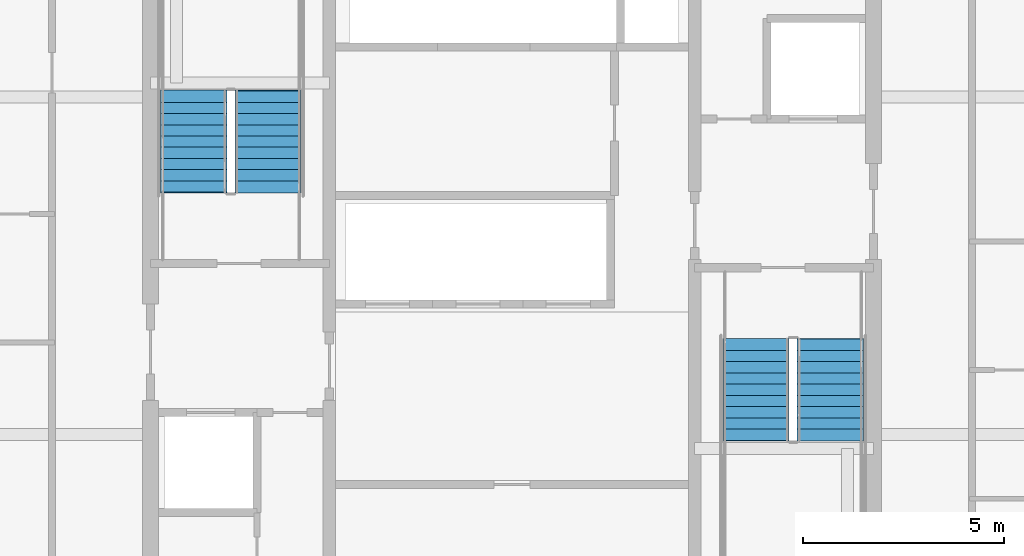
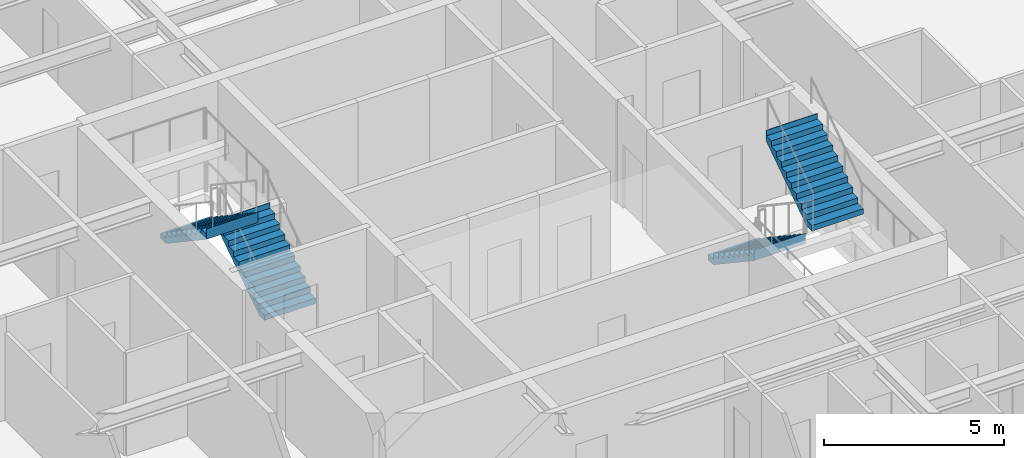
# One storey, part 31 of 36: 4 stair flights, 2 elements without a shape of their own.
"""IFC4 building model written with IfcOpenShell, lengths in metres."""

import ifcopenshell
import ifcopenshell.guid

model = None  # the IFC model being written
_history = None  # IfcOwnerHistory: only IFC2X3 demands one
_inside = {}  # id of a spatial element -> (the spatial element, [elements in it])
_under = {}  # id of a project, library or spatial element -> (it, [spatial elements below it])
_declared = {}  # id of a project -> (the project, [libraries it declares])
_typed = {}  # id of a type object -> (the type object, [elements of that type])
_made_of = {}  # id of a material, layer set ... -> (it, [elements and type objects made of it])


def new_model(schema):
    """Start an empty IFC model of exactly this schema.

    Asked for "IFC4X3", IfcOpenShell would pick the latest addendum, in which some entities
    have other attributes; the version numbers below select the first issue.
    IFC2X3 requires an IfcOwnerHistory on every rooted entity: one is made here for all.
    """
    global model, _history
    if schema == "IFC4X3":
        model = ifcopenshell.file(schema_version=(4, 3, 0, 0))
    else:
        model = ifcopenshell.file(schema=schema)
    _inside.clear()
    _under.clear()
    _declared.clear()
    _typed.clear()
    _made_of.clear()
    _history = None
    if model.schema == "IFC2X3":
        org = make("IfcOrganization", Name="unknown")
        user = make(
            "IfcPersonAndOrganization",
            ThePerson=make("IfcPerson", FamilyName="unknown"),
            TheOrganization=org,
        )
        app = make(
            "IfcApplication",
            ApplicationDeveloper=org,
            Version="unknown",
            ApplicationFullName="unknown",
            ApplicationIdentifier="unknown",
        )
        _history = make(
            "IfcOwnerHistory",
            OwningUser=user,
            OwningApplication=app,
            ChangeAction="ADDED",
            CreationDate=0,
        )
    return model


def make(cls, **values):
    """One entity of the class cls with the attributes given. An attribute that is None is left unset."""
    return model.create_entity(
        cls, **{name: value for name, value in values.items() if value is not None}
    )


def rooted(cls, **values):
    """An entity with a GlobalId (a new one), such as an element, a storey or a relation."""
    return make(cls, GlobalId=ifcopenshell.guid.new(), OwnerHistory=_history, **values)


def si_unit(unit_type, name, prefix=None):
    """IfcSIUnit, for example si_unit("LENGTHUNIT", "METRE", prefix="MILLI")."""
    return make("IfcSIUnit", UnitType=unit_type, Prefix=prefix, Name=name)


def assignment(units):
    """IfcUnitAssignment: the units of a project."""
    return None if units is None else make("IfcUnitAssignment", Units=units)


def point(xyz):
    """IfcCartesianPoint."""
    return None if xyz is None else make("IfcCartesianPoint", Coordinates=xyz)


def direction(xyz):
    """IfcDirection."""
    return None if xyz is None else make("IfcDirection", DirectionRatios=xyz)


def frame(location, z_axis=None, x_axis=None):
    """IfcAxis2Placement3D, a coordinate frame: its origin and axes. An axis left out is left unset."""
    return make(
        "IfcAxis2Placement3D",
        Location=point(location),
        Axis=direction(z_axis),
        RefDirection=direction(x_axis),
    )


def origin():
    """The frame at (0, 0, 0) with its axes left unset."""
    return frame((0.0, 0.0, 0.0))


def place(relative_to, where):
    """IfcLocalPlacement: puts the frame where relative to a parent placement (None: the world)."""
    return make(
        "IfcLocalPlacement", PlacementRelTo=relative_to, RelativePlacement=where
    )


def context(
    kind, dimensions, precision=None, world=None, true_north=None, identifier=None
):
    """IfcGeometricRepresentationContext, for example the 3D "Model" context."""
    return make(
        "IfcGeometricRepresentationContext",
        ContextIdentifier=identifier,
        ContextType=kind,
        CoordinateSpaceDimension=dimensions,
        Precision=precision,
        WorldCoordinateSystem=world,
        TrueNorth=true_north,
    )


def subcontext(parent, identifier, kind, view, scale=None):
    """IfcGeometricRepresentationSubContext, for example "Body" below "Model"."""
    return make(
        "IfcGeometricRepresentationSubContext",
        ContextIdentifier=identifier,
        ContextType=kind,
        ParentContext=parent,
        TargetScale=scale,
        TargetView=view,
    )


def project(units=None, contexts=None):
    """IfcProject with its units and contexts."""
    return rooted(
        "IfcProject",
        Name="project",
        RepresentationContexts=contexts,
        UnitsInContext=assignment(units),
    )


def spatial(cls, under=None, at=None, **own):
    """A site, building, storey or space (cls), placed at a placement, below another one or the project."""
    s = rooted(cls, ObjectPlacement=at, **own)
    if under is not None:
        _under.setdefault(under.id(), (under, []))[1].append(s)
    return s


def point_list(points):
    """IfcCartesianPointList2D or 3D."""
    cls = (
        "IfcCartesianPointList2D" if len(points[0]) == 2 else "IfcCartesianPointList3D"
    )
    return make(cls, CoordList=points)


def polygons(points, faces, closed=None, point_numbers=None):
    """IfcPolygonalFaceSet: a face is its outer loop, then its inner loops; points numbered from 1."""
    made = []
    for loops in faces:
        if len(loops) == 1:
            made.append(make("IfcIndexedPolygonalFace", CoordIndex=loops[0]))
        else:
            made.append(
                make(
                    "IfcIndexedPolygonalFaceWithVoids",
                    CoordIndex=loops[0],
                    InnerCoordIndices=loops[1:],
                )
            )
    return make(
        "IfcPolygonalFaceSet",
        Coordinates=point_list(points),
        Closed=closed,
        Faces=made,
        PnIndex=point_numbers,
    )


def shape(context_of_items, identifier, shape_type, items):
    """IfcShapeRepresentation: the items that make up one representation, for example the "Body"."""
    return make(
        "IfcShapeRepresentation",
        ContextOfItems=context_of_items,
        RepresentationIdentifier=identifier,
        RepresentationType=shape_type,
        Items=items,
    )


def material(Name=None, Category=None):
    """IfcMaterial."""
    return make("IfcMaterial", Name=Name, Category=Category)


def made_of(thing, what):
    """Note that an element or type object is made of a material, layer set ...; save() writes the relation."""
    if what is not None:
        _made_of.setdefault(what.id(), (what, []))[1].append(thing)
    return thing


def type_object(cls, material=None, **own):
    """A type object (cls), such as IfcWallType, which elements share."""
    return made_of(rooted(cls, **own), material)


def element(
    cls,
    number,
    at=None,
    inside=None,
    cuts=None,
    type_object=None,
    material=None,
    context=None,
    identifier="Body",
    shape_type=None,
    held_by="IfcProductDefinitionShape",
    body=None,
    shapes=None,
    **own,
):
    """One element of the class cls, such as IfcWall. Its Tag is "e" and its number.

    at: its placement. inside: the storey or other place that contains it. cuts: it is an
    opening in that element (IfcRelVoidsElement). A single representation is given by context,
    identifier, shape_type and body (its items); several are given by shapes. held_by: the class
    of the entity that holds the representations. save() writes the other relations.
    """
    e = rooted(cls, Tag="e%d" % number, ObjectPlacement=at, **own)
    if body is not None:
        shapes = [shape(context, identifier, shape_type, body)]
    if shapes is not None:
        e.Representation = make(held_by, Representations=shapes)
    if inside is not None:
        _inside.setdefault(inside.id(), (inside, []))[1].append(e)
    if cuts is not None:
        rooted(
            "IfcRelVoidsElement", RelatingBuildingElement=cuts, RelatedOpeningElement=e
        )
    if type_object is not None:
        _typed.setdefault(type_object.id(), (type_object, []))[1].append(e)
    return made_of(e, material)


def aggregate(whole, parts):
    """IfcRelAggregates: a whole, such as a stair, and the parts it consists of."""
    return rooted("IfcRelAggregates", RelatingObject=whole, RelatedObjects=parts)


def save(model, path):
    """Write the relations noted so far, then the file.

    IfcRelAggregates (storeys below a building ...), IfcRelContainedInSpatialStructure (elements
    in a storey), IfcRelDefinesByType, IfcRelAssociatesMaterial and IfcRelDeclares: one each for
    every whole, place, type object, material and project.
    """
    for whole, parts in _under.values():
        aggregate(whole, parts)
    for where, things in _inside.values():
        rooted(
            "IfcRelContainedInSpatialStructure",
            RelatedElements=things,
            RelatingStructure=where,
        )
    for kind, things in _typed.values():
        rooted("IfcRelDefinesByType", RelatedObjects=things, RelatingType=kind)
    for what, things in _made_of.values():
        rooted("IfcRelAssociatesMaterial", RelatedObjects=things, RelatingMaterial=what)
    for by, libraries in _declared.values():
        rooted("IfcRelDeclares", RelatingContext=by, RelatedDefinitions=libraries)
    model.write(path)


model = new_model("IFC4")

# Units and contexts
model_context = context("Model", 3, precision=1e-05, world=origin(), true_north=direction((0.0, 1.0)))
body_context = subcontext(model_context, "Body", "Model", "MODEL_VIEW")
ifc_project = project(units=[si_unit("LENGTHUNIT", "METRE"), si_unit("AREAUNIT", "SQUARE_METRE"), si_unit("VOLUMEUNIT", "CUBIC_METRE"), si_unit("PLANEANGLEUNIT", "RADIAN"), si_unit("MASSUNIT", "GRAM", prefix="KILO")], contexts=[model_context])

# Site, building, storey
site_placement = place(None, origin())
site = spatial("IfcSite", under=ifc_project, at=site_placement, CompositionType="ELEMENT")
building_placement = place(site_placement, origin())
building = spatial("IfcBuilding", under=site, at=building_placement, Name="Serunith Strait Residences", CompositionType="ELEMENT")
storey_placement = place(building_placement, frame((0.0, 0.0, 146.39990234375)))
storey = spatial("IfcBuildingStorey", under=building, at=storey_placement, Name="L36", CompositionType="ELEMENT", Elevation=146.39990234375)

# Stair, stair flights
ifc_material = material(Name="Concrete C50/60", Category="concrete")
stair_type_1 = type_object("IfcStairType", Name="STR-CORE-1", PredefinedType="HALF_TURN_STAIR", material=ifc_material)
stair_1_placement = place(storey_placement, origin())
stair_1 = element("IfcStair", 1, at=stair_1_placement, inside=storey, type_object=stair_type_1, Name="L36 Protected Escape Stair ST-1", PredefinedType="HALF_TURN_STAIR")
stair_flight_type_1 = type_object("IfcStairFlightType", Name="FLT-CORE-1", PredefinedType="STRAIGHT", material=ifc_material)
stair_flight_1_placement = place(storey_placement, frame((26.324951171875, 27.030029296875, 0.0), z_axis=(0.0, 0.0, 1.0), x_axis=(0.0, 1.0, 0.0)))
stair_flight_1 = element("IfcStairFlight", 2, at=stair_flight_1_placement, type_object=stair_flight_type_1, Name="ST-1 flight 1", NumberOfRisers=10, NumberOfTreads=9, PredefinedType="STRAIGHT", RiserHeight=0.1875, TreadLength=0.28, context=body_context, shape_type="Tessellation", body=[
    polygons([(-0.02001953125, -0.824951171875, 0.0), (-0.02001953125, -0.824951171875, 0.1875), (0.280029296875, -0.824951171875, 0.1875), (0.280029296875, -0.824951171875, 0.375), (0.56005859375, -0.824951171875, 0.375), (0.56005859375, -0.824951171875, 0.5625), (0.840087890625, -0.824951171875, 0.5625), (0.840087890625, -0.824951171875, 0.75), (1.1201171875, -0.824951171875, 0.75), (1.1201171875, -0.824951171875, 0.9375), (1.39990234375, -0.824951171875, 0.9375), (1.39990234375, -0.824951171875, 1.125), (1.679931640625, -0.824951171875, 1.125), (1.679931640625, -0.824951171875, 1.3125), (1.9599609375, -0.824951171875, 1.3125), (1.9599609375, -0.824951171875, 1.5), (2.239990234375, -0.824951171875, 1.5), (2.239990234375, -0.824951171875, 1.6875), (2.52001953125, -0.824951171875, 1.6875), (2.52001953125, -0.824951171875, 1.875), (2.5400390625, -0.824951171875, 1.875), (2.5400390625, -0.824951171875, 1.81494140625), (2.52001953125, -0.824951171875, 1.507080078125), (0.26953125, -0.824951171875, 0.0), (-0.02001953125, -0.41259765625, 0.0), (-0.02001953125, -0.41259765625, 0.1875), (0.280029296875, -0.41259765625, 0.1875), (0.280029296875, -0.41259765625, 0.375), (0.56005859375, -0.41259765625, 0.375), (0.56005859375, -0.41259765625, 0.5625), (0.840087890625, -0.41259765625, 0.5625), (0.840087890625, -0.41259765625, 0.75), (1.1201171875, -0.41259765625, 0.75), (1.1201171875, -0.41259765625, 0.9375), (1.39990234375, -0.41259765625, 0.9375), (1.39990234375, -0.41259765625, 1.125), (1.679931640625, -0.41259765625, 1.125), (1.679931640625, -0.41259765625, 1.3125), (1.9599609375, -0.41259765625, 1.3125), (1.9599609375, -0.41259765625, 1.5), (2.239990234375, -0.41259765625, 1.5), (2.239990234375, -0.41259765625, 1.6875), (2.52001953125, -0.41259765625, 1.6875), (2.52001953125, -0.41259765625, 1.875), (2.5400390625, -0.41259765625, 1.875), (2.5400390625, -0.41259765625, 1.81494140625), (2.52001953125, -0.41259765625, 1.507080078125), (0.26953125, -0.41259765625, 0.0), (-0.02001953125, 0.0, 0.0), (-0.02001953125, 0.0, 0.1875), (0.280029296875, 0.0, 0.1875), (0.280029296875, 0.0, 0.375), (0.56005859375, 0.0, 0.375), (0.56005859375, 0.0, 0.5625), (0.840087890625, 0.0, 0.5625), (0.840087890625, 0.0, 0.75), (1.1201171875, 0.0, 0.75), (1.1201171875, 0.0, 0.9375), (1.39990234375, 0.0, 0.9375), (1.39990234375, 0.0, 1.125), (1.679931640625, 0.0, 1.125), (1.679931640625, 0.0, 1.3125), (1.9599609375, 0.0, 1.3125), (1.9599609375, 0.0, 1.5), (2.239990234375, 0.0, 1.5), (2.239990234375, 0.0, 1.6875), (2.52001953125, 0.0, 1.6875), (2.52001953125, 0.0, 1.875), (2.5400390625, 0.0, 1.875), (2.5400390625, 0.0, 1.81494140625), (2.52001953125, 0.0, 1.507080078125), (0.26953125, 0.0, 0.0), (-0.02001953125, 0.41259765625, 0.0), (-0.02001953125, 0.41259765625, 0.1875), (0.280029296875, 0.41259765625, 0.1875), (0.280029296875, 0.41259765625, 0.375), (0.56005859375, 0.41259765625, 0.375), (0.56005859375, 0.41259765625, 0.5625), (0.840087890625, 0.41259765625, 0.5625), (0.840087890625, 0.41259765625, 0.75), (1.1201171875, 0.41259765625, 0.75), (1.1201171875, 0.41259765625, 0.9375), (1.39990234375, 0.41259765625, 0.9375), (1.39990234375, 0.41259765625, 1.125), (1.679931640625, 0.41259765625, 1.125), (1.679931640625, 0.41259765625, 1.3125), (1.9599609375, 0.41259765625, 1.3125), (1.9599609375, 0.41259765625, 1.5), (2.239990234375, 0.41259765625, 1.5), (2.239990234375, 0.41259765625, 1.6875), (2.52001953125, 0.41259765625, 1.6875), (2.52001953125, 0.41259765625, 1.875), (2.5400390625, 0.41259765625, 1.875), (2.5400390625, 0.41259765625, 1.81494140625), (2.52001953125, 0.41259765625, 1.507080078125), (0.26953125, 0.41259765625, 0.0), (-0.02001953125, 0.824951171875, 0.0), (-0.02001953125, 0.824951171875, 0.1875), (0.280029296875, 0.824951171875, 0.1875), (0.280029296875, 0.824951171875, 0.375), (0.56005859375, 0.824951171875, 0.375), (0.56005859375, 0.824951171875, 0.5625), (0.840087890625, 0.824951171875, 0.5625), (0.840087890625, 0.824951171875, 0.75), (1.1201171875, 0.824951171875, 0.75), (1.1201171875, 0.824951171875, 0.9375), (1.39990234375, 0.824951171875, 0.9375), (1.39990234375, 0.824951171875, 1.125), (1.679931640625, 0.824951171875, 1.125), (1.679931640625, 0.824951171875, 1.3125), (1.9599609375, 0.824951171875, 1.3125), (1.9599609375, 0.824951171875, 1.5), (2.239990234375, 0.824951171875, 1.5), (2.239990234375, 0.824951171875, 1.6875), (2.52001953125, 0.824951171875, 1.6875), (2.52001953125, 0.824951171875, 1.875), (2.5400390625, 0.824951171875, 1.875), (2.5400390625, 0.824951171875, 1.81494140625), (2.52001953125, 0.824951171875, 1.507080078125), (0.26953125, 0.824951171875, 0.0)], [[[1, 2, 26, 25]], [[2, 3, 27, 26]], [[3, 4, 28, 27]], [[4, 5, 29, 28]], [[5, 6, 30, 29]], [[6, 7, 31, 30]], [[7, 8, 32, 31]], [[8, 9, 33, 32]], [[9, 10, 34, 33]], [[10, 11, 35, 34]], [[11, 12, 36, 35]], [[12, 13, 37, 36]], [[13, 14, 38, 37]], [[14, 15, 39, 38]], [[15, 16, 40, 39]], [[16, 17, 41, 40]], [[17, 18, 42, 41]], [[18, 19, 43, 42]], [[19, 20, 44, 43]], [[20, 21, 45, 44]], [[21, 22, 46, 45]], [[22, 23, 47, 46]], [[23, 24, 48, 47]], [[24, 1, 25, 48]], [[25, 26, 50, 49]], [[26, 27, 51, 50]], [[27, 28, 52, 51]], [[28, 29, 53, 52]], [[29, 30, 54, 53]], [[30, 31, 55, 54]], [[31, 32, 56, 55]], [[32, 33, 57, 56]], [[33, 34, 58, 57]], [[34, 35, 59, 58]], [[35, 36, 60, 59]], [[36, 37, 61, 60]], [[37, 38, 62, 61]], [[38, 39, 63, 62]], [[39, 40, 64, 63]], [[40, 41, 65, 64]], [[41, 42, 66, 65]], [[42, 43, 67, 66]], [[43, 44, 68, 67]], [[44, 45, 69, 68]], [[45, 46, 70, 69]], [[46, 47, 71, 70]], [[47, 48, 72, 71]], [[48, 25, 49, 72]], [[49, 50, 74, 73]], [[50, 51, 75, 74]], [[51, 52, 76, 75]], [[52, 53, 77, 76]], [[53, 54, 78, 77]], [[54, 55, 79, 78]], [[55, 56, 80, 79]], [[56, 57, 81, 80]], [[57, 58, 82, 81]], [[58, 59, 83, 82]], [[59, 60, 84, 83]], [[60, 61, 85, 84]], [[61, 62, 86, 85]], [[62, 63, 87, 86]], [[63, 64, 88, 87]], [[64, 65, 89, 88]], [[65, 66, 90, 89]], [[66, 67, 91, 90]], [[67, 68, 92, 91]], [[68, 69, 93, 92]], [[69, 70, 94, 93]], [[70, 71, 95, 94]], [[71, 72, 96, 95]], [[72, 49, 73, 96]], [[73, 74, 98, 97]], [[74, 75, 99, 98]], [[75, 76, 100, 99]], [[76, 77, 101, 100]], [[77, 78, 102, 101]], [[78, 79, 103, 102]], [[79, 80, 104, 103]], [[80, 81, 105, 104]], [[81, 82, 106, 105]], [[82, 83, 107, 106]], [[83, 84, 108, 107]], [[84, 85, 109, 108]], [[85, 86, 110, 109]], [[86, 87, 111, 110]], [[87, 88, 112, 111]], [[88, 89, 113, 112]], [[89, 90, 114, 113]], [[90, 91, 115, 114]], [[91, 92, 116, 115]], [[92, 93, 117, 116]], [[93, 94, 118, 117]], [[94, 95, 119, 118]], [[95, 96, 120, 119]], [[96, 73, 97, 120]], [[24, 23, 22, 21, 20, 19, 18, 17, 16, 15, 14, 13, 12, 11, 10, 9, 8, 7, 6, 5, 4, 3, 2, 1]], [[97, 98, 99, 100, 101, 102, 103, 104, 105, 106, 107, 108, 109, 110, 111, 112, 113, 114, 115, 116, 117, 118, 119, 120]]], closed=True),
])
stair_flight_2_placement = place(storey_placement, frame((24.47509765625, 29.550048828125, 1.875), z_axis=(0.0, 0.0, 1.0), x_axis=(0.0, -1.0, 0.0)))
stair_flight_2 = element("IfcStairFlight", 3, at=stair_flight_2_placement, type_object=stair_flight_type_1, Name="ST-1 flight 2", NumberOfRisers=10, NumberOfTreads=9, PredefinedType="STRAIGHT", RiserHeight=0.1875, TreadLength=0.28, context=body_context, shape_type="Tessellation", body=[
    polygons([(-0.02001953125, -0.824951171875, 0.0), (-0.02001953125, -0.824951171875, 0.1875), (0.280029296875, -0.824951171875, 0.1875), (0.280029296875, -0.824951171875, 0.375), (0.56005859375, -0.824951171875, 0.375), (0.56005859375, -0.824951171875, 0.5625), (0.840087890625, -0.824951171875, 0.5625), (0.840087890625, -0.824951171875, 0.75), (1.1201171875, -0.824951171875, 0.75), (1.1201171875, -0.824951171875, 0.9375), (1.39990234375, -0.824951171875, 0.9375), (1.39990234375, -0.824951171875, 1.125), (1.679931640625, -0.824951171875, 1.125), (1.679931640625, -0.824951171875, 1.3125), (1.9599609375, -0.824951171875, 1.3125), (1.9599609375, -0.824951171875, 1.5), (2.239990234375, -0.824951171875, 1.5), (2.239990234375, -0.824951171875, 1.6875), (2.52001953125, -0.824951171875, 1.6875), (2.52001953125, -0.824951171875, 1.875), (2.5400390625, -0.824951171875, 1.875), (2.5400390625, -0.824951171875, 1.81494140625), (2.52001953125, -0.824951171875, 1.507080078125), (0.26953125, -0.824951171875, 0.0), (-0.02001953125, -0.41259765625, 0.0), (-0.02001953125, -0.41259765625, 0.1875), (0.280029296875, -0.41259765625, 0.1875), (0.280029296875, -0.41259765625, 0.375), (0.56005859375, -0.41259765625, 0.375), (0.56005859375, -0.41259765625, 0.5625), (0.840087890625, -0.41259765625, 0.5625), (0.840087890625, -0.41259765625, 0.75), (1.1201171875, -0.41259765625, 0.75), (1.1201171875, -0.41259765625, 0.9375), (1.39990234375, -0.41259765625, 0.9375), (1.39990234375, -0.41259765625, 1.125), (1.679931640625, -0.41259765625, 1.125), (1.679931640625, -0.41259765625, 1.3125), (1.9599609375, -0.41259765625, 1.3125), (1.9599609375, -0.41259765625, 1.5), (2.239990234375, -0.41259765625, 1.5), (2.239990234375, -0.41259765625, 1.6875), (2.52001953125, -0.41259765625, 1.6875), (2.52001953125, -0.41259765625, 1.875), (2.5400390625, -0.41259765625, 1.875), (2.5400390625, -0.41259765625, 1.81494140625), (2.52001953125, -0.41259765625, 1.507080078125), (0.26953125, -0.41259765625, 0.0), (-0.02001953125, 0.0, 0.0), (-0.02001953125, 0.0, 0.1875), (0.280029296875, 0.0, 0.1875), (0.280029296875, 0.0, 0.375), (0.56005859375, 0.0, 0.375), (0.56005859375, 0.0, 0.5625), (0.840087890625, 0.0, 0.5625), (0.840087890625, 0.0, 0.75), (1.1201171875, 0.0, 0.75), (1.1201171875, 0.0, 0.9375), (1.39990234375, 0.0, 0.9375), (1.39990234375, 0.0, 1.125), (1.679931640625, 0.0, 1.125), (1.679931640625, 0.0, 1.3125), (1.9599609375, 0.0, 1.3125), (1.9599609375, 0.0, 1.5), (2.239990234375, 0.0, 1.5), (2.239990234375, 0.0, 1.6875), (2.52001953125, 0.0, 1.6875), (2.52001953125, 0.0, 1.875), (2.5400390625, 0.0, 1.875), (2.5400390625, 0.0, 1.81494140625), (2.52001953125, 0.0, 1.507080078125), (0.26953125, 0.0, 0.0), (-0.02001953125, 0.41259765625, 0.0), (-0.02001953125, 0.41259765625, 0.1875), (0.280029296875, 0.41259765625, 0.1875), (0.280029296875, 0.41259765625, 0.375), (0.56005859375, 0.41259765625, 0.375), (0.56005859375, 0.41259765625, 0.5625), (0.840087890625, 0.41259765625, 0.5625), (0.840087890625, 0.41259765625, 0.75), (1.1201171875, 0.41259765625, 0.75), (1.1201171875, 0.41259765625, 0.9375), (1.39990234375, 0.41259765625, 0.9375), (1.39990234375, 0.41259765625, 1.125), (1.679931640625, 0.41259765625, 1.125), (1.679931640625, 0.41259765625, 1.3125), (1.9599609375, 0.41259765625, 1.3125), (1.9599609375, 0.41259765625, 1.5), (2.239990234375, 0.41259765625, 1.5), (2.239990234375, 0.41259765625, 1.6875), (2.52001953125, 0.41259765625, 1.6875), (2.52001953125, 0.41259765625, 1.875), (2.5400390625, 0.41259765625, 1.875), (2.5400390625, 0.41259765625, 1.81494140625), (2.52001953125, 0.41259765625, 1.507080078125), (0.26953125, 0.41259765625, 0.0), (-0.02001953125, 0.824951171875, 0.0), (-0.02001953125, 0.824951171875, 0.1875), (0.280029296875, 0.824951171875, 0.1875), (0.280029296875, 0.824951171875, 0.375), (0.56005859375, 0.824951171875, 0.375), (0.56005859375, 0.824951171875, 0.5625), (0.840087890625, 0.824951171875, 0.5625), (0.840087890625, 0.824951171875, 0.75), (1.1201171875, 0.824951171875, 0.75), (1.1201171875, 0.824951171875, 0.9375), (1.39990234375, 0.824951171875, 0.9375), (1.39990234375, 0.824951171875, 1.125), (1.679931640625, 0.824951171875, 1.125), (1.679931640625, 0.824951171875, 1.3125), (1.9599609375, 0.824951171875, 1.3125), (1.9599609375, 0.824951171875, 1.5), (2.239990234375, 0.824951171875, 1.5), (2.239990234375, 0.824951171875, 1.6875), (2.52001953125, 0.824951171875, 1.6875), (2.52001953125, 0.824951171875, 1.875), (2.5400390625, 0.824951171875, 1.875), (2.5400390625, 0.824951171875, 1.81494140625), (2.52001953125, 0.824951171875, 1.507080078125), (0.26953125, 0.824951171875, 0.0)], [[[1, 2, 26, 25]], [[2, 3, 27, 26]], [[3, 4, 28, 27]], [[4, 5, 29, 28]], [[5, 6, 30, 29]], [[6, 7, 31, 30]], [[7, 8, 32, 31]], [[8, 9, 33, 32]], [[9, 10, 34, 33]], [[10, 11, 35, 34]], [[11, 12, 36, 35]], [[12, 13, 37, 36]], [[13, 14, 38, 37]], [[14, 15, 39, 38]], [[15, 16, 40, 39]], [[16, 17, 41, 40]], [[17, 18, 42, 41]], [[18, 19, 43, 42]], [[19, 20, 44, 43]], [[20, 21, 45, 44]], [[21, 22, 46, 45]], [[22, 23, 47, 46]], [[23, 24, 48, 47]], [[24, 1, 25, 48]], [[25, 26, 50, 49]], [[26, 27, 51, 50]], [[27, 28, 52, 51]], [[28, 29, 53, 52]], [[29, 30, 54, 53]], [[30, 31, 55, 54]], [[31, 32, 56, 55]], [[32, 33, 57, 56]], [[33, 34, 58, 57]], [[34, 35, 59, 58]], [[35, 36, 60, 59]], [[36, 37, 61, 60]], [[37, 38, 62, 61]], [[38, 39, 63, 62]], [[39, 40, 64, 63]], [[40, 41, 65, 64]], [[41, 42, 66, 65]], [[42, 43, 67, 66]], [[43, 44, 68, 67]], [[44, 45, 69, 68]], [[45, 46, 70, 69]], [[46, 47, 71, 70]], [[47, 48, 72, 71]], [[48, 25, 49, 72]], [[49, 50, 74, 73]], [[50, 51, 75, 74]], [[51, 52, 76, 75]], [[52, 53, 77, 76]], [[53, 54, 78, 77]], [[54, 55, 79, 78]], [[55, 56, 80, 79]], [[56, 57, 81, 80]], [[57, 58, 82, 81]], [[58, 59, 83, 82]], [[59, 60, 84, 83]], [[60, 61, 85, 84]], [[61, 62, 86, 85]], [[62, 63, 87, 86]], [[63, 64, 88, 87]], [[64, 65, 89, 88]], [[65, 66, 90, 89]], [[66, 67, 91, 90]], [[67, 68, 92, 91]], [[68, 69, 93, 92]], [[69, 70, 94, 93]], [[70, 71, 95, 94]], [[71, 72, 96, 95]], [[72, 49, 73, 96]], [[73, 74, 98, 97]], [[74, 75, 99, 98]], [[75, 76, 100, 99]], [[76, 77, 101, 100]], [[77, 78, 102, 101]], [[78, 79, 103, 102]], [[79, 80, 104, 103]], [[80, 81, 105, 104]], [[81, 82, 106, 105]], [[82, 83, 107, 106]], [[83, 84, 108, 107]], [[84, 85, 109, 108]], [[85, 86, 110, 109]], [[86, 87, 111, 110]], [[87, 88, 112, 111]], [[88, 89, 113, 112]], [[89, 90, 114, 113]], [[90, 91, 115, 114]], [[91, 92, 116, 115]], [[92, 93, 117, 116]], [[93, 94, 118, 117]], [[94, 95, 119, 118]], [[95, 96, 120, 119]], [[96, 73, 97, 120]], [[24, 23, 22, 21, 20, 19, 18, 17, 16, 15, 14, 13, 12, 11, 10, 9, 8, 7, 6, 5, 4, 3, 2, 1]], [[97, 98, 99, 100, 101, 102, 103, 104, 105, 106, 107, 108, 109, 110, 111, 112, 113, 114, 115, 116, 117, 118, 119, 120]]], closed=True),
])
aggregate(stair_1, [stair_flight_1, stair_flight_2])

stair_type_2 = type_object("IfcStairType", Name="STR-CORE-2", PredefinedType="HALF_TURN_STAIR", material=ifc_material)
stair_2_placement = place(storey_placement, origin())
stair_2 = element("IfcStair", 4, at=stair_2_placement, inside=storey, type_object=stair_type_2, Name="L36 Protected Escape Stair ST-2", PredefinedType="HALF_TURN_STAIR")
stair_flight_type_2 = type_object("IfcStairFlightType", Name="FLT-CORE-2", PredefinedType="STRAIGHT", material=ifc_material)
stair_flight_3_placement = place(storey_placement, frame((38.47509765625, 23.3701171875, 0.0), z_axis=(0.0, 0.0, 1.0), x_axis=(0.0, -1.0, 0.0)))
stair_flight_3 = element("IfcStairFlight", 5, at=stair_flight_3_placement, type_object=stair_flight_type_2, Name="ST-2 flight 1", NumberOfRisers=10, NumberOfTreads=9, PredefinedType="STRAIGHT", RiserHeight=0.1875, TreadLength=0.28, context=body_context, shape_type="Tessellation", body=[
    polygons([(-0.02001953125, -0.824951171875, 0.0), (-0.02001953125, -0.824951171875, 0.1875), (0.280029296875, -0.824951171875, 0.1875), (0.280029296875, -0.824951171875, 0.375), (0.56005859375, -0.824951171875, 0.375), (0.56005859375, -0.824951171875, 0.5625), (0.840087890625, -0.824951171875, 0.5625), (0.840087890625, -0.824951171875, 0.75), (1.1201171875, -0.824951171875, 0.75), (1.1201171875, -0.824951171875, 0.9375), (1.39990234375, -0.824951171875, 0.9375), (1.39990234375, -0.824951171875, 1.125), (1.679931640625, -0.824951171875, 1.125), (1.679931640625, -0.824951171875, 1.3125), (1.9599609375, -0.824951171875, 1.3125), (1.9599609375, -0.824951171875, 1.5), (2.239990234375, -0.824951171875, 1.5), (2.239990234375, -0.824951171875, 1.6875), (2.52001953125, -0.824951171875, 1.6875), (2.52001953125, -0.824951171875, 1.875), (2.5400390625, -0.824951171875, 1.875), (2.5400390625, -0.824951171875, 1.81494140625), (2.52001953125, -0.824951171875, 1.507080078125), (0.26953125, -0.824951171875, 0.0), (-0.02001953125, -0.41259765625, 0.0), (-0.02001953125, -0.41259765625, 0.1875), (0.280029296875, -0.41259765625, 0.1875), (0.280029296875, -0.41259765625, 0.375), (0.56005859375, -0.41259765625, 0.375), (0.56005859375, -0.41259765625, 0.5625), (0.840087890625, -0.41259765625, 0.5625), (0.840087890625, -0.41259765625, 0.75), (1.1201171875, -0.41259765625, 0.75), (1.1201171875, -0.41259765625, 0.9375), (1.39990234375, -0.41259765625, 0.9375), (1.39990234375, -0.41259765625, 1.125), (1.679931640625, -0.41259765625, 1.125), (1.679931640625, -0.41259765625, 1.3125), (1.9599609375, -0.41259765625, 1.3125), (1.9599609375, -0.41259765625, 1.5), (2.239990234375, -0.41259765625, 1.5), (2.239990234375, -0.41259765625, 1.6875), (2.52001953125, -0.41259765625, 1.6875), (2.52001953125, -0.41259765625, 1.875), (2.5400390625, -0.41259765625, 1.875), (2.5400390625, -0.41259765625, 1.81494140625), (2.52001953125, -0.41259765625, 1.507080078125), (0.26953125, -0.41259765625, 0.0), (-0.02001953125, 0.0, 0.0), (-0.02001953125, 0.0, 0.1875), (0.280029296875, 0.0, 0.1875), (0.280029296875, 0.0, 0.375), (0.56005859375, 0.0, 0.375), (0.56005859375, 0.0, 0.5625), (0.840087890625, 0.0, 0.5625), (0.840087890625, 0.0, 0.75), (1.1201171875, 0.0, 0.75), (1.1201171875, 0.0, 0.9375), (1.39990234375, 0.0, 0.9375), (1.39990234375, 0.0, 1.125), (1.679931640625, 0.0, 1.125), (1.679931640625, 0.0, 1.3125), (1.9599609375, 0.0, 1.3125), (1.9599609375, 0.0, 1.5), (2.239990234375, 0.0, 1.5), (2.239990234375, 0.0, 1.6875), (2.52001953125, 0.0, 1.6875), (2.52001953125, 0.0, 1.875), (2.5400390625, 0.0, 1.875), (2.5400390625, 0.0, 1.81494140625), (2.52001953125, 0.0, 1.507080078125), (0.26953125, 0.0, 0.0), (-0.02001953125, 0.41259765625, 0.0), (-0.02001953125, 0.41259765625, 0.1875), (0.280029296875, 0.41259765625, 0.1875), (0.280029296875, 0.41259765625, 0.375), (0.56005859375, 0.41259765625, 0.375), (0.56005859375, 0.41259765625, 0.5625), (0.840087890625, 0.41259765625, 0.5625), (0.840087890625, 0.41259765625, 0.75), (1.1201171875, 0.41259765625, 0.75), (1.1201171875, 0.41259765625, 0.9375), (1.39990234375, 0.41259765625, 0.9375), (1.39990234375, 0.41259765625, 1.125), (1.679931640625, 0.41259765625, 1.125), (1.679931640625, 0.41259765625, 1.3125), (1.9599609375, 0.41259765625, 1.3125), (1.9599609375, 0.41259765625, 1.5), (2.239990234375, 0.41259765625, 1.5), (2.239990234375, 0.41259765625, 1.6875), (2.52001953125, 0.41259765625, 1.6875), (2.52001953125, 0.41259765625, 1.875), (2.5400390625, 0.41259765625, 1.875), (2.5400390625, 0.41259765625, 1.81494140625), (2.52001953125, 0.41259765625, 1.507080078125), (0.26953125, 0.41259765625, 0.0), (-0.02001953125, 0.824951171875, 0.0), (-0.02001953125, 0.824951171875, 0.1875), (0.280029296875, 0.824951171875, 0.1875), (0.280029296875, 0.824951171875, 0.375), (0.56005859375, 0.824951171875, 0.375), (0.56005859375, 0.824951171875, 0.5625), (0.840087890625, 0.824951171875, 0.5625), (0.840087890625, 0.824951171875, 0.75), (1.1201171875, 0.824951171875, 0.75), (1.1201171875, 0.824951171875, 0.9375), (1.39990234375, 0.824951171875, 0.9375), (1.39990234375, 0.824951171875, 1.125), (1.679931640625, 0.824951171875, 1.125), (1.679931640625, 0.824951171875, 1.3125), (1.9599609375, 0.824951171875, 1.3125), (1.9599609375, 0.824951171875, 1.5), (2.239990234375, 0.824951171875, 1.5), (2.239990234375, 0.824951171875, 1.6875), (2.52001953125, 0.824951171875, 1.6875), (2.52001953125, 0.824951171875, 1.875), (2.5400390625, 0.824951171875, 1.875), (2.5400390625, 0.824951171875, 1.81494140625), (2.52001953125, 0.824951171875, 1.507080078125), (0.26953125, 0.824951171875, 0.0)], [[[1, 2, 26, 25]], [[2, 3, 27, 26]], [[3, 4, 28, 27]], [[4, 5, 29, 28]], [[5, 6, 30, 29]], [[6, 7, 31, 30]], [[7, 8, 32, 31]], [[8, 9, 33, 32]], [[9, 10, 34, 33]], [[10, 11, 35, 34]], [[11, 12, 36, 35]], [[12, 13, 37, 36]], [[13, 14, 38, 37]], [[14, 15, 39, 38]], [[15, 16, 40, 39]], [[16, 17, 41, 40]], [[17, 18, 42, 41]], [[18, 19, 43, 42]], [[19, 20, 44, 43]], [[20, 21, 45, 44]], [[21, 22, 46, 45]], [[22, 23, 47, 46]], [[23, 24, 48, 47]], [[24, 1, 25, 48]], [[25, 26, 50, 49]], [[26, 27, 51, 50]], [[27, 28, 52, 51]], [[28, 29, 53, 52]], [[29, 30, 54, 53]], [[30, 31, 55, 54]], [[31, 32, 56, 55]], [[32, 33, 57, 56]], [[33, 34, 58, 57]], [[34, 35, 59, 58]], [[35, 36, 60, 59]], [[36, 37, 61, 60]], [[37, 38, 62, 61]], [[38, 39, 63, 62]], [[39, 40, 64, 63]], [[40, 41, 65, 64]], [[41, 42, 66, 65]], [[42, 43, 67, 66]], [[43, 44, 68, 67]], [[44, 45, 69, 68]], [[45, 46, 70, 69]], [[46, 47, 71, 70]], [[47, 48, 72, 71]], [[48, 25, 49, 72]], [[49, 50, 74, 73]], [[50, 51, 75, 74]], [[51, 52, 76, 75]], [[52, 53, 77, 76]], [[53, 54, 78, 77]], [[54, 55, 79, 78]], [[55, 56, 80, 79]], [[56, 57, 81, 80]], [[57, 58, 82, 81]], [[58, 59, 83, 82]], [[59, 60, 84, 83]], [[60, 61, 85, 84]], [[61, 62, 86, 85]], [[62, 63, 87, 86]], [[63, 64, 88, 87]], [[64, 65, 89, 88]], [[65, 66, 90, 89]], [[66, 67, 91, 90]], [[67, 68, 92, 91]], [[68, 69, 93, 92]], [[69, 70, 94, 93]], [[70, 71, 95, 94]], [[71, 72, 96, 95]], [[72, 49, 73, 96]], [[73, 74, 98, 97]], [[74, 75, 99, 98]], [[75, 76, 100, 99]], [[76, 77, 101, 100]], [[77, 78, 102, 101]], [[78, 79, 103, 102]], [[79, 80, 104, 103]], [[80, 81, 105, 104]], [[81, 82, 106, 105]], [[82, 83, 107, 106]], [[83, 84, 108, 107]], [[84, 85, 109, 108]], [[85, 86, 110, 109]], [[86, 87, 111, 110]], [[87, 88, 112, 111]], [[88, 89, 113, 112]], [[89, 90, 114, 113]], [[90, 91, 115, 114]], [[91, 92, 116, 115]], [[92, 93, 117, 116]], [[93, 94, 118, 117]], [[94, 95, 119, 118]], [[95, 96, 120, 119]], [[96, 73, 97, 120]], [[24, 23, 22, 21, 20, 19, 18, 17, 16, 15, 14, 13, 12, 11, 10, 9, 8, 7, 6, 5, 4, 3, 2, 1]], [[97, 98, 99, 100, 101, 102, 103, 104, 105, 106, 107, 108, 109, 110, 111, 112, 113, 114, 115, 116, 117, 118, 119, 120]]], closed=True),
])
stair_flight_4_placement = place(storey_placement, frame((40.324951171875, 20.85009765625, 1.875), z_axis=(0.0, 0.0, 1.0), x_axis=(0.0, 1.0, 0.0)))
stair_flight_4 = element("IfcStairFlight", 6, at=stair_flight_4_placement, type_object=stair_flight_type_2, Name="ST-2 flight 2", NumberOfRisers=10, NumberOfTreads=9, PredefinedType="STRAIGHT", RiserHeight=0.1875, TreadLength=0.28, context=body_context, shape_type="Tessellation", body=[
    polygons([(-0.02001953125, -0.824951171875, 0.0), (-0.02001953125, -0.824951171875, 0.1875), (0.280029296875, -0.824951171875, 0.1875), (0.280029296875, -0.824951171875, 0.375), (0.56005859375, -0.824951171875, 0.375), (0.56005859375, -0.824951171875, 0.5625), (0.840087890625, -0.824951171875, 0.5625), (0.840087890625, -0.824951171875, 0.75), (1.1201171875, -0.824951171875, 0.75), (1.1201171875, -0.824951171875, 0.9375), (1.39990234375, -0.824951171875, 0.9375), (1.39990234375, -0.824951171875, 1.125), (1.679931640625, -0.824951171875, 1.125), (1.679931640625, -0.824951171875, 1.3125), (1.9599609375, -0.824951171875, 1.3125), (1.9599609375, -0.824951171875, 1.5), (2.239990234375, -0.824951171875, 1.5), (2.239990234375, -0.824951171875, 1.6875), (2.52001953125, -0.824951171875, 1.6875), (2.52001953125, -0.824951171875, 1.875), (2.5400390625, -0.824951171875, 1.875), (2.5400390625, -0.824951171875, 1.81494140625), (2.52001953125, -0.824951171875, 1.507080078125), (0.26953125, -0.824951171875, 0.0), (-0.02001953125, -0.41259765625, 0.0), (-0.02001953125, -0.41259765625, 0.1875), (0.280029296875, -0.41259765625, 0.1875), (0.280029296875, -0.41259765625, 0.375), (0.56005859375, -0.41259765625, 0.375), (0.56005859375, -0.41259765625, 0.5625), (0.840087890625, -0.41259765625, 0.5625), (0.840087890625, -0.41259765625, 0.75), (1.1201171875, -0.41259765625, 0.75), (1.1201171875, -0.41259765625, 0.9375), (1.39990234375, -0.41259765625, 0.9375), (1.39990234375, -0.41259765625, 1.125), (1.679931640625, -0.41259765625, 1.125), (1.679931640625, -0.41259765625, 1.3125), (1.9599609375, -0.41259765625, 1.3125), (1.9599609375, -0.41259765625, 1.5), (2.239990234375, -0.41259765625, 1.5), (2.239990234375, -0.41259765625, 1.6875), (2.52001953125, -0.41259765625, 1.6875), (2.52001953125, -0.41259765625, 1.875), (2.5400390625, -0.41259765625, 1.875), (2.5400390625, -0.41259765625, 1.81494140625), (2.52001953125, -0.41259765625, 1.507080078125), (0.26953125, -0.41259765625, 0.0), (-0.02001953125, 0.0, 0.0), (-0.02001953125, 0.0, 0.1875), (0.280029296875, 0.0, 0.1875), (0.280029296875, 0.0, 0.375), (0.56005859375, 0.0, 0.375), (0.56005859375, 0.0, 0.5625), (0.840087890625, 0.0, 0.5625), (0.840087890625, 0.0, 0.75), (1.1201171875, 0.0, 0.75), (1.1201171875, 0.0, 0.9375), (1.39990234375, 0.0, 0.9375), (1.39990234375, 0.0, 1.125), (1.679931640625, 0.0, 1.125), (1.679931640625, 0.0, 1.3125), (1.9599609375, 0.0, 1.3125), (1.9599609375, 0.0, 1.5), (2.239990234375, 0.0, 1.5), (2.239990234375, 0.0, 1.6875), (2.52001953125, 0.0, 1.6875), (2.52001953125, 0.0, 1.875), (2.5400390625, 0.0, 1.875), (2.5400390625, 0.0, 1.81494140625), (2.52001953125, 0.0, 1.507080078125), (0.26953125, 0.0, 0.0), (-0.02001953125, 0.41259765625, 0.0), (-0.02001953125, 0.41259765625, 0.1875), (0.280029296875, 0.41259765625, 0.1875), (0.280029296875, 0.41259765625, 0.375), (0.56005859375, 0.41259765625, 0.375), (0.56005859375, 0.41259765625, 0.5625), (0.840087890625, 0.41259765625, 0.5625), (0.840087890625, 0.41259765625, 0.75), (1.1201171875, 0.41259765625, 0.75), (1.1201171875, 0.41259765625, 0.9375), (1.39990234375, 0.41259765625, 0.9375), (1.39990234375, 0.41259765625, 1.125), (1.679931640625, 0.41259765625, 1.125), (1.679931640625, 0.41259765625, 1.3125), (1.9599609375, 0.41259765625, 1.3125), (1.9599609375, 0.41259765625, 1.5), (2.239990234375, 0.41259765625, 1.5), (2.239990234375, 0.41259765625, 1.6875), (2.52001953125, 0.41259765625, 1.6875), (2.52001953125, 0.41259765625, 1.875), (2.5400390625, 0.41259765625, 1.875), (2.5400390625, 0.41259765625, 1.81494140625), (2.52001953125, 0.41259765625, 1.507080078125), (0.26953125, 0.41259765625, 0.0), (-0.02001953125, 0.824951171875, 0.0), (-0.02001953125, 0.824951171875, 0.1875), (0.280029296875, 0.824951171875, 0.1875), (0.280029296875, 0.824951171875, 0.375), (0.56005859375, 0.824951171875, 0.375), (0.56005859375, 0.824951171875, 0.5625), (0.840087890625, 0.824951171875, 0.5625), (0.840087890625, 0.824951171875, 0.75), (1.1201171875, 0.824951171875, 0.75), (1.1201171875, 0.824951171875, 0.9375), (1.39990234375, 0.824951171875, 0.9375), (1.39990234375, 0.824951171875, 1.125), (1.679931640625, 0.824951171875, 1.125), (1.679931640625, 0.824951171875, 1.3125), (1.9599609375, 0.824951171875, 1.3125), (1.9599609375, 0.824951171875, 1.5), (2.239990234375, 0.824951171875, 1.5), (2.239990234375, 0.824951171875, 1.6875), (2.52001953125, 0.824951171875, 1.6875), (2.52001953125, 0.824951171875, 1.875), (2.5400390625, 0.824951171875, 1.875), (2.5400390625, 0.824951171875, 1.81494140625), (2.52001953125, 0.824951171875, 1.507080078125), (0.26953125, 0.824951171875, 0.0)], [[[1, 2, 26, 25]], [[2, 3, 27, 26]], [[3, 4, 28, 27]], [[4, 5, 29, 28]], [[5, 6, 30, 29]], [[6, 7, 31, 30]], [[7, 8, 32, 31]], [[8, 9, 33, 32]], [[9, 10, 34, 33]], [[10, 11, 35, 34]], [[11, 12, 36, 35]], [[12, 13, 37, 36]], [[13, 14, 38, 37]], [[14, 15, 39, 38]], [[15, 16, 40, 39]], [[16, 17, 41, 40]], [[17, 18, 42, 41]], [[18, 19, 43, 42]], [[19, 20, 44, 43]], [[20, 21, 45, 44]], [[21, 22, 46, 45]], [[22, 23, 47, 46]], [[23, 24, 48, 47]], [[24, 1, 25, 48]], [[25, 26, 50, 49]], [[26, 27, 51, 50]], [[27, 28, 52, 51]], [[28, 29, 53, 52]], [[29, 30, 54, 53]], [[30, 31, 55, 54]], [[31, 32, 56, 55]], [[32, 33, 57, 56]], [[33, 34, 58, 57]], [[34, 35, 59, 58]], [[35, 36, 60, 59]], [[36, 37, 61, 60]], [[37, 38, 62, 61]], [[38, 39, 63, 62]], [[39, 40, 64, 63]], [[40, 41, 65, 64]], [[41, 42, 66, 65]], [[42, 43, 67, 66]], [[43, 44, 68, 67]], [[44, 45, 69, 68]], [[45, 46, 70, 69]], [[46, 47, 71, 70]], [[47, 48, 72, 71]], [[48, 25, 49, 72]], [[49, 50, 74, 73]], [[50, 51, 75, 74]], [[51, 52, 76, 75]], [[52, 53, 77, 76]], [[53, 54, 78, 77]], [[54, 55, 79, 78]], [[55, 56, 80, 79]], [[56, 57, 81, 80]], [[57, 58, 82, 81]], [[58, 59, 83, 82]], [[59, 60, 84, 83]], [[60, 61, 85, 84]], [[61, 62, 86, 85]], [[62, 63, 87, 86]], [[63, 64, 88, 87]], [[64, 65, 89, 88]], [[65, 66, 90, 89]], [[66, 67, 91, 90]], [[67, 68, 92, 91]], [[68, 69, 93, 92]], [[69, 70, 94, 93]], [[70, 71, 95, 94]], [[71, 72, 96, 95]], [[72, 49, 73, 96]], [[73, 74, 98, 97]], [[74, 75, 99, 98]], [[75, 76, 100, 99]], [[76, 77, 101, 100]], [[77, 78, 102, 101]], [[78, 79, 103, 102]], [[79, 80, 104, 103]], [[80, 81, 105, 104]], [[81, 82, 106, 105]], [[82, 83, 107, 106]], [[83, 84, 108, 107]], [[84, 85, 109, 108]], [[85, 86, 110, 109]], [[86, 87, 111, 110]], [[87, 88, 112, 111]], [[88, 89, 113, 112]], [[89, 90, 114, 113]], [[90, 91, 115, 114]], [[91, 92, 116, 115]], [[92, 93, 117, 116]], [[93, 94, 118, 117]], [[94, 95, 119, 118]], [[95, 96, 120, 119]], [[96, 73, 97, 120]], [[24, 23, 22, 21, 20, 19, 18, 17, 16, 15, 14, 13, 12, 11, 10, 9, 8, 7, 6, 5, 4, 3, 2, 1]], [[97, 98, 99, 100, 101, 102, 103, 104, 105, 106, 107, 108, 109, 110, 111, 112, 113, 114, 115, 116, 117, 118, 119, 120]]], closed=True),
])
aggregate(stair_2, [stair_flight_3, stair_flight_4])

save(model, "model.ifc")
